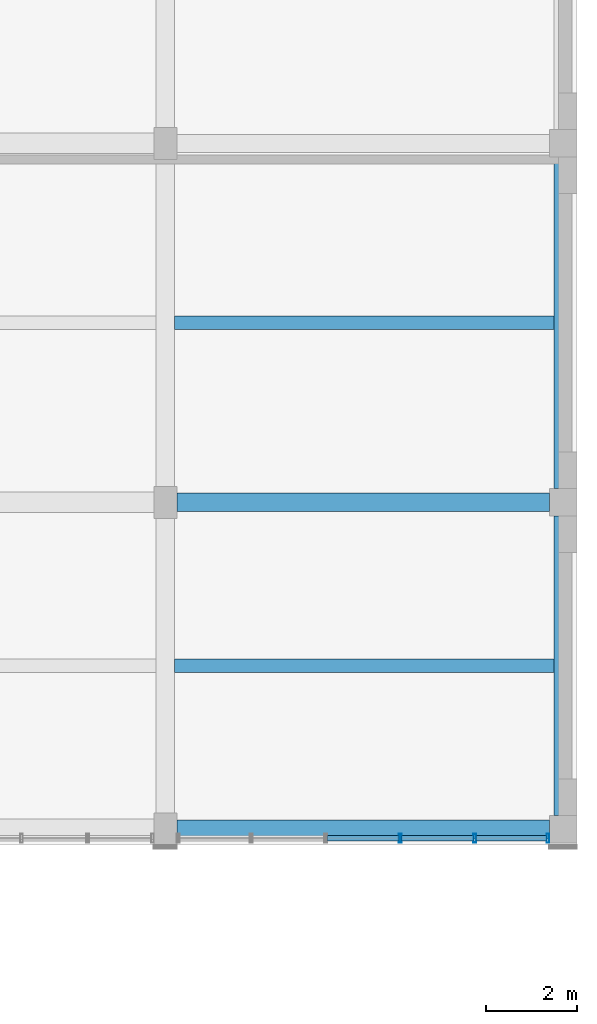
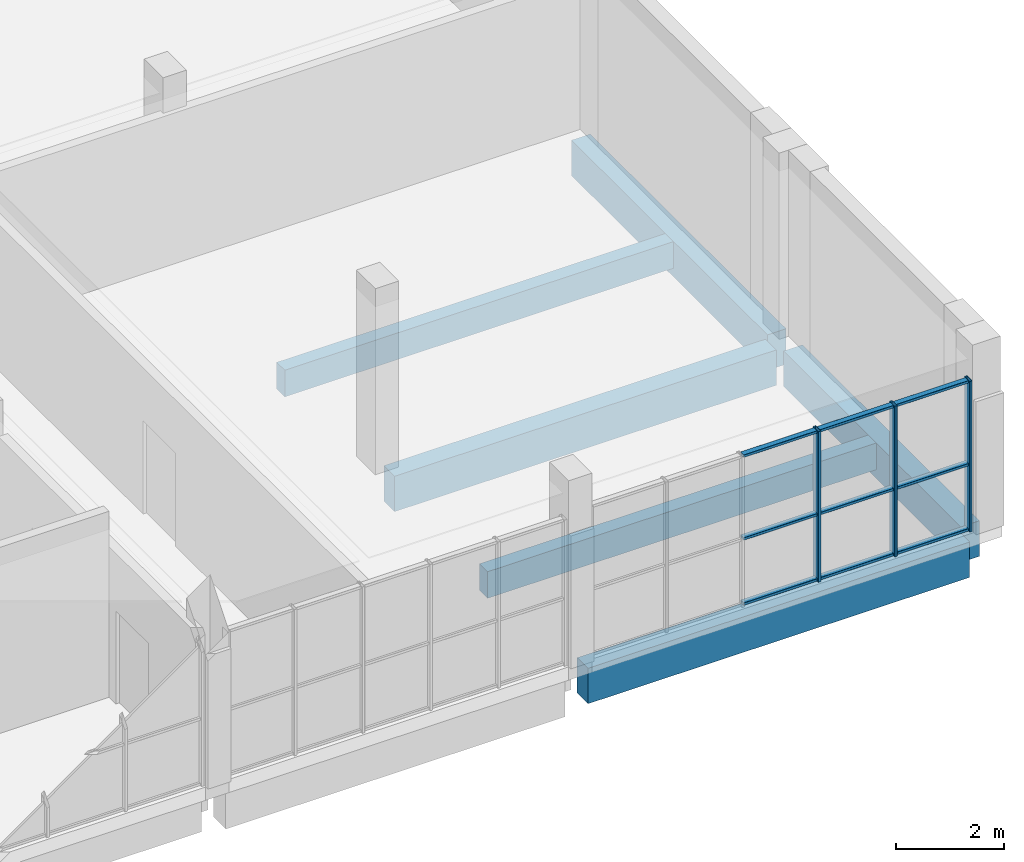
# One storey, part 8 of 36: 12 members, 6 beams, 1 element without a shape of its own.
"""IFC4 building model written with IfcOpenShell, lengths in metres."""

import ifcopenshell
import ifcopenshell.guid

model = None  # the IFC model being written
_history = None  # IfcOwnerHistory: only IFC2X3 demands one
_inside = {}  # id of a spatial element -> (the spatial element, [elements in it])
_under = {}  # id of a project, library or spatial element -> (it, [spatial elements below it])
_declared = {}  # id of a project -> (the project, [libraries it declares])
_typed = {}  # id of a type object -> (the type object, [elements of that type])
_made_of = {}  # id of a material, layer set ... -> (it, [elements and type objects made of it])


def new_model(schema):
    """Start an empty IFC model of exactly this schema.

    Asked for "IFC4X3", IfcOpenShell would pick the latest addendum, in which some entities
    have other attributes; the version numbers below select the first issue.
    IFC2X3 requires an IfcOwnerHistory on every rooted entity: one is made here for all.
    """
    global model, _history
    if schema == "IFC4X3":
        model = ifcopenshell.file(schema_version=(4, 3, 0, 0))
    else:
        model = ifcopenshell.file(schema=schema)
    _inside.clear()
    _under.clear()
    _declared.clear()
    _typed.clear()
    _made_of.clear()
    _history = None
    if model.schema == "IFC2X3":
        org = make("IfcOrganization", Name="unknown")
        user = make(
            "IfcPersonAndOrganization",
            ThePerson=make("IfcPerson", FamilyName="unknown"),
            TheOrganization=org,
        )
        app = make(
            "IfcApplication",
            ApplicationDeveloper=org,
            Version="unknown",
            ApplicationFullName="unknown",
            ApplicationIdentifier="unknown",
        )
        _history = make(
            "IfcOwnerHistory",
            OwningUser=user,
            OwningApplication=app,
            ChangeAction="ADDED",
            CreationDate=0,
        )
    return model


def make(cls, **values):
    """One entity of the class cls with the attributes given. An attribute that is None is left unset."""
    return model.create_entity(
        cls, **{name: value for name, value in values.items() if value is not None}
    )


def rooted(cls, **values):
    """An entity with a GlobalId (a new one), such as an element, a storey or a relation."""
    return make(cls, GlobalId=ifcopenshell.guid.new(), OwnerHistory=_history, **values)


def si_unit(unit_type, name, prefix=None):
    """IfcSIUnit, for example si_unit("LENGTHUNIT", "METRE", prefix="MILLI")."""
    return make("IfcSIUnit", UnitType=unit_type, Prefix=prefix, Name=name)


def assignment(units):
    """IfcUnitAssignment: the units of a project."""
    return None if units is None else make("IfcUnitAssignment", Units=units)


def point(xyz):
    """IfcCartesianPoint."""
    return None if xyz is None else make("IfcCartesianPoint", Coordinates=xyz)


def direction(xyz):
    """IfcDirection."""
    return None if xyz is None else make("IfcDirection", DirectionRatios=xyz)


def frame(location, z_axis=None, x_axis=None):
    """IfcAxis2Placement3D, a coordinate frame: its origin and axes. An axis left out is left unset."""
    return make(
        "IfcAxis2Placement3D",
        Location=point(location),
        Axis=direction(z_axis),
        RefDirection=direction(x_axis),
    )


def frame_2d(location, x_axis=None):
    """IfcAxis2Placement2D, a coordinate frame in the plane: its origin and x axis."""
    return make(
        "IfcAxis2Placement2D", Location=point(location), RefDirection=direction(x_axis)
    )


def origin():
    """The frame at (0, 0, 0) with its axes left unset."""
    return frame((0.0, 0.0, 0.0))


def origin_2d():
    """The frame at (0, 0) in the plane with its x axis left unset."""
    return frame_2d((0.0, 0.0))


def place(relative_to, where):
    """IfcLocalPlacement: puts the frame where relative to a parent placement (None: the world)."""
    return make(
        "IfcLocalPlacement", PlacementRelTo=relative_to, RelativePlacement=where
    )


def context(
    kind, dimensions, precision=None, world=None, true_north=None, identifier=None
):
    """IfcGeometricRepresentationContext, for example the 3D "Model" context."""
    return make(
        "IfcGeometricRepresentationContext",
        ContextIdentifier=identifier,
        ContextType=kind,
        CoordinateSpaceDimension=dimensions,
        Precision=precision,
        WorldCoordinateSystem=world,
        TrueNorth=true_north,
    )


def subcontext(parent, identifier, kind, view, scale=None):
    """IfcGeometricRepresentationSubContext, for example "Body" below "Model"."""
    return make(
        "IfcGeometricRepresentationSubContext",
        ContextIdentifier=identifier,
        ContextType=kind,
        ParentContext=parent,
        TargetScale=scale,
        TargetView=view,
    )


def project(units=None, contexts=None):
    """IfcProject with its units and contexts."""
    return rooted(
        "IfcProject",
        Name="project",
        RepresentationContexts=contexts,
        UnitsInContext=assignment(units),
    )


def spatial(cls, under=None, at=None, **own):
    """A site, building, storey or space (cls), placed at a placement, below another one or the project."""
    s = rooted(cls, ObjectPlacement=at, **own)
    if under is not None:
        _under.setdefault(under.id(), (under, []))[1].append(s)
    return s


def profile(cls, at=None, kind="AREA", **sizes):
    """A parametric profile (cls). Its sizes go by their IFC names, for example OverallWidth=200.0."""
    return make(cls, ProfileType=kind, Position=at, **sizes)


def rectangle(**sizes):
    """IfcRectangleProfileDef."""
    return profile("IfcRectangleProfileDef", **sizes)


def hollow_rectangle(**sizes):
    """IfcRectangleHollowProfileDef."""
    return profile("IfcRectangleHollowProfileDef", **sizes)


def extrude(swept, where, along, depth):
    """IfcExtrudedAreaSolid: the profile swept, set in the frame where, extruded along a direction by depth."""
    return make(
        "IfcExtrudedAreaSolid",
        SweptArea=swept,
        Position=where,
        ExtrudedDirection=direction(along),
        Depth=depth,
    )


def shape(context_of_items, identifier, shape_type, items):
    """IfcShapeRepresentation: the items that make up one representation, for example the "Body"."""
    return make(
        "IfcShapeRepresentation",
        ContextOfItems=context_of_items,
        RepresentationIdentifier=identifier,
        RepresentationType=shape_type,
        Items=items,
    )


def material(Name=None, Category=None):
    """IfcMaterial."""
    return make("IfcMaterial", Name=Name, Category=Category)


def material_profile(
    of_material, cross_section, Name=None, Category=None, Priority=None
):
    """IfcMaterialProfile: a cross section and its material."""
    return make(
        "IfcMaterialProfile",
        Name=Name,
        Material=of_material,
        Profile=cross_section,
        Priority=Priority,
        Category=Category,
    )


def profile_set(profiles, Name=None, composite=None):
    """IfcMaterialProfileSet."""
    return make(
        "IfcMaterialProfileSet",
        Name=Name,
        MaterialProfiles=profiles,
        CompositeProfile=composite,
    )


def made_of(thing, what):
    """Note that an element or type object is made of a material, layer set ...; save() writes the relation."""
    if what is not None:
        _made_of.setdefault(what.id(), (what, []))[1].append(thing)
    return thing


def type_object(cls, material=None, **own):
    """A type object (cls), such as IfcWallType, which elements share."""
    return made_of(rooted(cls, **own), material)


def element(
    cls,
    number,
    at=None,
    inside=None,
    cuts=None,
    type_object=None,
    material=None,
    context=None,
    identifier="Body",
    shape_type=None,
    held_by="IfcProductDefinitionShape",
    body=None,
    shapes=None,
    **own,
):
    """One element of the class cls, such as IfcWall. Its Tag is "e" and its number.

    at: its placement. inside: the storey or other place that contains it. cuts: it is an
    opening in that element (IfcRelVoidsElement). A single representation is given by context,
    identifier, shape_type and body (its items); several are given by shapes. held_by: the class
    of the entity that holds the representations. save() writes the other relations.
    """
    e = rooted(cls, Tag="e%d" % number, ObjectPlacement=at, **own)
    if body is not None:
        shapes = [shape(context, identifier, shape_type, body)]
    if shapes is not None:
        e.Representation = make(held_by, Representations=shapes)
    if inside is not None:
        _inside.setdefault(inside.id(), (inside, []))[1].append(e)
    if cuts is not None:
        rooted(
            "IfcRelVoidsElement", RelatingBuildingElement=cuts, RelatedOpeningElement=e
        )
    if type_object is not None:
        _typed.setdefault(type_object.id(), (type_object, []))[1].append(e)
    return made_of(e, material)


def aggregate(whole, parts):
    """IfcRelAggregates: a whole, such as a stair, and the parts it consists of."""
    return rooted("IfcRelAggregates", RelatingObject=whole, RelatedObjects=parts)


def save(model, path):
    """Write the relations noted so far, then the file.

    IfcRelAggregates (storeys below a building ...), IfcRelContainedInSpatialStructure (elements
    in a storey), IfcRelDefinesByType, IfcRelAssociatesMaterial and IfcRelDeclares: one each for
    every whole, place, type object, material and project.
    """
    for whole, parts in _under.values():
        aggregate(whole, parts)
    for where, things in _inside.values():
        rooted(
            "IfcRelContainedInSpatialStructure",
            RelatedElements=things,
            RelatingStructure=where,
        )
    for kind, things in _typed.values():
        rooted("IfcRelDefinesByType", RelatedObjects=things, RelatingType=kind)
    for what, things in _made_of.values():
        rooted("IfcRelAssociatesMaterial", RelatedObjects=things, RelatingMaterial=what)
    for by, libraries in _declared.values():
        rooted("IfcRelDeclares", RelatingContext=by, RelatedDefinitions=libraries)
    model.write(path)


model = new_model("IFC4")

# Units and contexts
model_context = context("Model", 3, precision=1e-05, world=origin(), true_north=direction((0.0, 1.0)))
body_context = subcontext(model_context, "Body", "Model", "MODEL_VIEW")
ifc_project = project(units=[si_unit("LENGTHUNIT", "METRE"), si_unit("AREAUNIT", "SQUARE_METRE"), si_unit("VOLUMEUNIT", "CUBIC_METRE"), si_unit("PLANEANGLEUNIT", "RADIAN"), si_unit("MASSUNIT", "GRAM", prefix="KILO")], contexts=[model_context])

# Site, building, storey
site_placement = place(None, origin())
site = spatial("IfcSite", under=ifc_project, at=site_placement, CompositionType="ELEMENT")
building_placement = place(site_placement, origin())
building = spatial("IfcBuilding", under=site, at=building_placement, Name="Sun Court Science Centre", CompositionType="ELEMENT")
storey_placement = place(building_placement, frame((0.0, 0.0, 24.75)))
storey = spatial("IfcBuildingStorey", under=building, at=storey_placement, Name="L05", CompositionType="ELEMENT", Elevation=24.75)

# Curtain wall, members
ifc_material_1 = material(Name="Aluminium EN AW-6063 T6", Category="aluminium")
curtain_wall_type = type_object("IfcCurtainWallType", Name="Laboratory tall bay curtain wall 1500", PredefinedType="NOTDEFINED", material=ifc_material_1)
curtain_wall_placement = place(storey_placement, origin())
curtain_wall = element("IfcCurtainWall", 1, at=curtain_wall_placement, inside=storey, type_object=curtain_wall_type, Name="Curtain wall V4 S4 L05 01", PredefinedType="NOTDEFINED")
ifc_material_2 = material(Name="Aluminium EN AW-6063 T6", Category="aluminium")
ifc_material_profile_1 = material_profile(ifc_material_2, hollow_rectangle(XDim=0.06005859375, YDim=0.199951171875, WallThickness=0.0048828125, InnerFilletRadius=0.0048828125, OuterFilletRadius=0.007568359375, at=origin_2d()), Name="AL 60x200x5")
ifc_profile_set_1 = profile_set([ifc_material_profile_1], Name="Aluminium EN AW-6063 T6")
member_type_1 = type_object("IfcMemberType", Name="Curtain wall mullion AL 60x200", PredefinedType="MULLION", material=ifc_profile_set_1)
member_1_placement = place(storey_placement, frame((100.139892578125, 28.64990234375, 0.0), z_axis=(0.0, 0.0, 1.0), x_axis=(-1.0, 0.0, 0.0)))
member_1 = element("IfcMember", 2, at=member_1_placement, type_object=member_type_1, Name="CW2-58 mullion 3", PredefinedType="MULLION", context=body_context, shape_type="SweptSolid", body=[
    extrude(hollow_rectangle(XDim=0.06005859375, YDim=0.199951171875, WallThickness=0.0048828125, InnerFilletRadius=0.0048828125, OuterFilletRadius=0.007568359375, at=origin_2d()), origin(), (0.0, 0.0, 1.0), 3.39990234375),
])
member_2_placement = place(storey_placement, frame((101.77001953125, 28.64990234375, 0.0), z_axis=(0.0, 0.0, 1.0), x_axis=(-1.0, 0.0, 0.0)))
member_2 = element("IfcMember", 3, at=member_2_placement, type_object=member_type_1, Name="CW2-58 mullion 2", PredefinedType="MULLION", context=body_context, shape_type="SweptSolid", body=[
    extrude(hollow_rectangle(XDim=0.06005859375, YDim=0.199951171875, WallThickness=0.0048828125, InnerFilletRadius=0.0048828125, OuterFilletRadius=0.007568359375, at=origin_2d()), origin(), (0.0, 0.0, 1.0), 3.39990234375),
])
member_3_placement = place(storey_placement, frame((103.3701171875, 28.64990234375, 0.0), z_axis=(0.0, 0.0, 1.0), x_axis=(-1.0, 0.0, 0.0)))
member_3 = element("IfcMember", 4, at=member_3_placement, type_object=member_type_1, Name="CW2-58 mullion 1", PredefinedType="MULLION", context=body_context, shape_type="SweptSolid", body=[
    extrude(hollow_rectangle(XDim=0.06005859375, YDim=0.199951171875, WallThickness=0.0048828125, InnerFilletRadius=0.0048828125, OuterFilletRadius=0.007568359375, at=origin_2d()), origin(), (0.0, 0.0, 1.0), 3.39990234375),
])
ifc_material_3 = material(Name="Aluminium EN AW-6063 T6", Category="aluminium")
ifc_material_profile_2 = material_profile(ifc_material_3, hollow_rectangle(XDim=0.06005859375, YDim=0.1201171875, WallThickness=0.00390625, InnerFilletRadius=0.00390625, OuterFilletRadius=0.006103515625, at=origin_2d()), Name="AL 60x120x4")
ifc_profile_set_2 = profile_set([ifc_material_profile_2], Name="Aluminium EN AW-6063 T6")
member_type_2 = type_object("IfcMemberType", Name="Curtain wall transom AL 60x120", PredefinedType="USERDEFINED", material=ifc_profile_set_2)
member_4_placement = place(storey_placement, frame((100.110107421875, 28.64990234375, 0.030029296875), z_axis=(-1.0, 0.0, 0.0), x_axis=(0.0, 0.0, 1.0)))
member_4 = element("IfcMember", 5, at=member_4_placement, type_object=member_type_2, Name="CW2-58 transom 3.1", ObjectType="TRANSOM", PredefinedType="USERDEFINED", context=body_context, shape_type="SweptSolid", body=[
    extrude(hollow_rectangle(XDim=0.06005859375, YDim=0.1201171875, WallThickness=0.00390625, InnerFilletRadius=0.00390625, OuterFilletRadius=0.006103515625, at=origin_2d()), origin(), (0.0, 0.0, 1.0), 1.570068359375),
])
member_5_placement = place(storey_placement, frame((101.739990234375, 28.64990234375, 0.030029296875), z_axis=(-1.0, 0.0, 0.0), x_axis=(0.0, 0.0, 1.0)))
member_5 = element("IfcMember", 6, at=member_5_placement, type_object=member_type_2, Name="CW2-58 transom 2.1", ObjectType="TRANSOM", PredefinedType="USERDEFINED", context=body_context, shape_type="SweptSolid", body=[
    extrude(hollow_rectangle(XDim=0.06005859375, YDim=0.1201171875, WallThickness=0.00390625, InnerFilletRadius=0.00390625, OuterFilletRadius=0.006103515625, at=origin_2d()), origin(), (0.0, 0.0, 1.0), 1.570068359375),
])
member_6_placement = place(storey_placement, frame((103.340087890625, 28.64990234375, 0.030029296875), z_axis=(-1.0, 0.0, 0.0), x_axis=(0.0, 0.0, 1.0)))
member_6 = element("IfcMember", 7, at=member_6_placement, type_object=member_type_2, Name="CW2-58 transom 1.1", ObjectType="TRANSOM", PredefinedType="USERDEFINED", context=body_context, shape_type="SweptSolid", body=[
    extrude(hollow_rectangle(XDim=0.06005859375, YDim=0.1201171875, WallThickness=0.00390625, InnerFilletRadius=0.00390625, OuterFilletRadius=0.006103515625, at=origin_2d()), origin(), (0.0, 0.0, 1.0), 1.5400390625),
])
member_7_placement = place(storey_placement, frame((100.110107421875, 28.64990234375, 1.5), z_axis=(-1.0, 0.0, 0.0), x_axis=(0.0, 0.0, 1.0)))
member_7 = element("IfcMember", 8, at=member_7_placement, type_object=member_type_2, Name="CW2-58 transom 3.2", ObjectType="TRANSOM", PredefinedType="USERDEFINED", context=body_context, shape_type="SweptSolid", body=[
    extrude(hollow_rectangle(XDim=0.06005859375, YDim=0.1201171875, WallThickness=0.00390625, InnerFilletRadius=0.00390625, OuterFilletRadius=0.006103515625, at=origin_2d()), origin(), (0.0, 0.0, 1.0), 1.570068359375),
])
member_8_placement = place(storey_placement, frame((101.739990234375, 28.64990234375, 1.5), z_axis=(-1.0, 0.0, 0.0), x_axis=(0.0, 0.0, 1.0)))
member_8 = element("IfcMember", 9, at=member_8_placement, type_object=member_type_2, Name="CW2-58 transom 2.2", ObjectType="TRANSOM", PredefinedType="USERDEFINED", context=body_context, shape_type="SweptSolid", body=[
    extrude(hollow_rectangle(XDim=0.06005859375, YDim=0.1201171875, WallThickness=0.00390625, InnerFilletRadius=0.00390625, OuterFilletRadius=0.006103515625, at=origin_2d()), origin(), (0.0, 0.0, 1.0), 1.570068359375),
])
member_9_placement = place(storey_placement, frame((103.340087890625, 28.64990234375, 1.5), z_axis=(-1.0, 0.0, 0.0), x_axis=(0.0, 0.0, 1.0)))
member_9 = element("IfcMember", 10, at=member_9_placement, type_object=member_type_2, Name="CW2-58 transom 1.2", ObjectType="TRANSOM", PredefinedType="USERDEFINED", context=body_context, shape_type="SweptSolid", body=[
    extrude(hollow_rectangle(XDim=0.06005859375, YDim=0.1201171875, WallThickness=0.00390625, InnerFilletRadius=0.00390625, OuterFilletRadius=0.006103515625, at=origin_2d()), origin(), (0.0, 0.0, 1.0), 1.5400390625),
])
member_10_placement = place(storey_placement, frame((100.110107421875, 28.64990234375, 3.3701171875), z_axis=(-1.0, 0.0, 0.0), x_axis=(0.0, 0.0, 1.0)))
member_10 = element("IfcMember", 11, at=member_10_placement, type_object=member_type_2, Name="CW2-58 transom 3.3", ObjectType="TRANSOM", PredefinedType="USERDEFINED", context=body_context, shape_type="SweptSolid", body=[
    extrude(hollow_rectangle(XDim=0.06005859375, YDim=0.1201171875, WallThickness=0.00390625, InnerFilletRadius=0.00390625, OuterFilletRadius=0.006103515625, at=origin_2d()), origin(), (0.0, 0.0, 1.0), 1.570068359375),
])
member_11_placement = place(storey_placement, frame((101.739990234375, 28.64990234375, 3.3701171875), z_axis=(-1.0, 0.0, 0.0), x_axis=(0.0, 0.0, 1.0)))
member_11 = element("IfcMember", 12, at=member_11_placement, type_object=member_type_2, Name="CW2-58 transom 2.3", ObjectType="TRANSOM", PredefinedType="USERDEFINED", context=body_context, shape_type="SweptSolid", body=[
    extrude(hollow_rectangle(XDim=0.06005859375, YDim=0.1201171875, WallThickness=0.00390625, InnerFilletRadius=0.00390625, OuterFilletRadius=0.006103515625, at=origin_2d()), origin(), (0.0, 0.0, 1.0), 1.570068359375),
])
member_12_placement = place(storey_placement, frame((103.340087890625, 28.64990234375, 3.3701171875), z_axis=(-1.0, 0.0, 0.0), x_axis=(0.0, 0.0, 1.0)))
member_12 = element("IfcMember", 13, at=member_12_placement, type_object=member_type_2, Name="CW2-58 transom 1.3", ObjectType="TRANSOM", PredefinedType="USERDEFINED", context=body_context, shape_type="SweptSolid", body=[
    extrude(hollow_rectangle(XDim=0.06005859375, YDim=0.1201171875, WallThickness=0.00390625, InnerFilletRadius=0.00390625, OuterFilletRadius=0.006103515625, at=origin_2d()), origin(), (0.0, 0.0, 1.0), 1.5400390625),
])
aggregate(curtain_wall, [member_1, member_2, member_3, member_4, member_5, member_6, member_7, member_8, member_9, member_10, member_11, member_12])

# Beams
ifc_material_4 = material(Name="Concrete C25/30", Category="concrete")
ifc_material_profile_3 = material_profile(ifc_material_4, rectangle(XDim=0.39990234375, YDim=0.800048828125, at=origin_2d()), Name="RC 400x800")
ifc_profile_set_3 = profile_set([ifc_material_profile_3], Name="Concrete C25/30")
beam_type_1 = type_object("IfcBeamType", Name="RC girder 400x800", PredefinedType="BEAM", material=ifc_profile_set_3)
for number, where, z_axis, x_axis, name in (
    (14, (95.25, 28.85009765625, -0.699951171875), (1.0, 0.0, 0.0), (0.0, 1.0, 0.0), "Girder L05 row 1"),
    (15, (95.25, 36.0, -0.699951171875), (1.0, 0.0, 0.0), (0.0, 1.0, 0.0), "Girder L05 row 2"),
):
    element("IfcBeam", number, at=place(storey_placement, frame(where, z_axis=z_axis, x_axis=x_axis)), inside=storey, type_object=beam_type_1, Name=name, PredefinedType="BEAM", context=body_context, shape_type="SweptSolid", body=[
        extrude(rectangle(XDim=0.39990234375, YDim=0.800048828125, at=origin_2d()), origin(), (0.0, 0.0, 1.0), 8.14990234375),
    ])
beam_1_placement = place(storey_placement, frame((103.699951171875, 29.14990234375, -0.699951171875), z_axis=(0.0, 1.0, 0.0), x_axis=(-1.0, 0.0, 0.0)))
element("IfcBeam", 16, at=beam_1_placement, inside=storey, type_object=beam_type_1, Name="Girder L05 line 4", PredefinedType="BEAM", context=body_context, shape_type="SweptSolid", body=[
    extrude(rectangle(XDim=0.39990234375, YDim=0.800048828125, at=origin_2d()), origin(), (0.0, 0.0, 1.0), 6.550048828125),
])
beam_2_placement = place(storey_placement, frame((103.699951171875, 36.300048828125, -0.699951171875), z_axis=(0.0, 1.0, 0.0), x_axis=(-1.0, 0.0, 0.0)))
element("IfcBeam", 17, at=beam_2_placement, inside=storey, type_object=beam_type_1, Name="Girder L05 line 4", PredefinedType="BEAM", context=body_context, shape_type="SweptSolid", body=[
    extrude(rectangle(XDim=0.39990234375, YDim=0.800048828125, at=origin_2d()), origin(), (0.0, 0.0, 1.0), 7.25),
])
ifc_material_5 = material(Name="Concrete C25/30", Category="concrete")
ifc_material_profile_4 = material_profile(ifc_material_5, rectangle(XDim=0.300048828125, YDim=0.60009765625, at=origin_2d()), Name="RC 300x600")
ifc_profile_set_4 = profile_set([ifc_material_profile_4], Name="Concrete C25/30")
beam_type_2 = type_object("IfcBeamType", Name="RC joist 300x600", PredefinedType="JOIST", material=ifc_profile_set_4)
for number, where, z_axis, x_axis, name in (
    (18, (95.199951171875, 32.425048828125, -0.60009765625), (1.0, 0.0, 0.0), (0.0, 1.0, 0.0), "Joist L05"),
    (19, (95.199951171875, 39.925048828125, -0.60009765625), (1.0, 0.0, 0.0), (0.0, 1.0, 0.0), "Joist L05"),
):
    element("IfcBeam", number, at=place(storey_placement, frame(where, z_axis=z_axis, x_axis=x_axis)), inside=storey, type_object=beam_type_2, Name=name, PredefinedType="JOIST", context=body_context, shape_type="SweptSolid", body=[
        extrude(rectangle(XDim=0.300048828125, YDim=0.60009765625, at=origin_2d()), origin(), (0.0, 0.0, 1.0), 8.300048828125),
    ])

save(model, "model.ifc")
